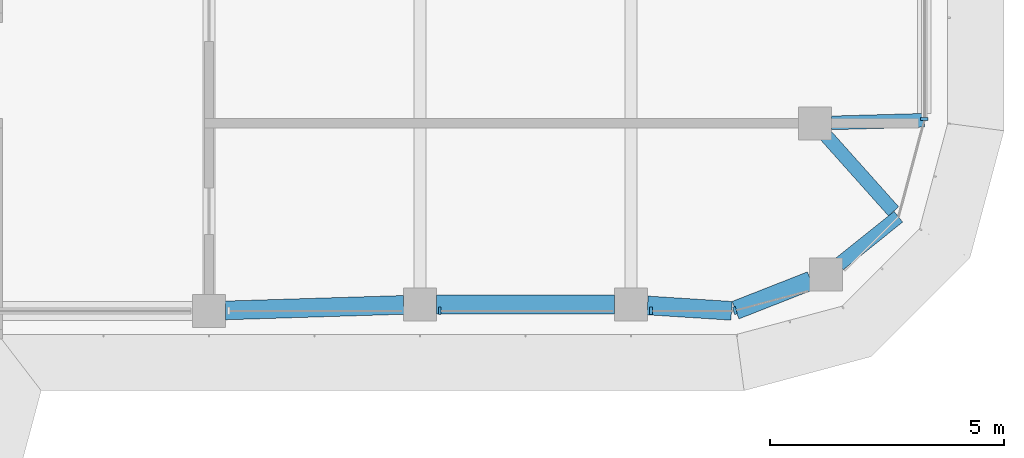
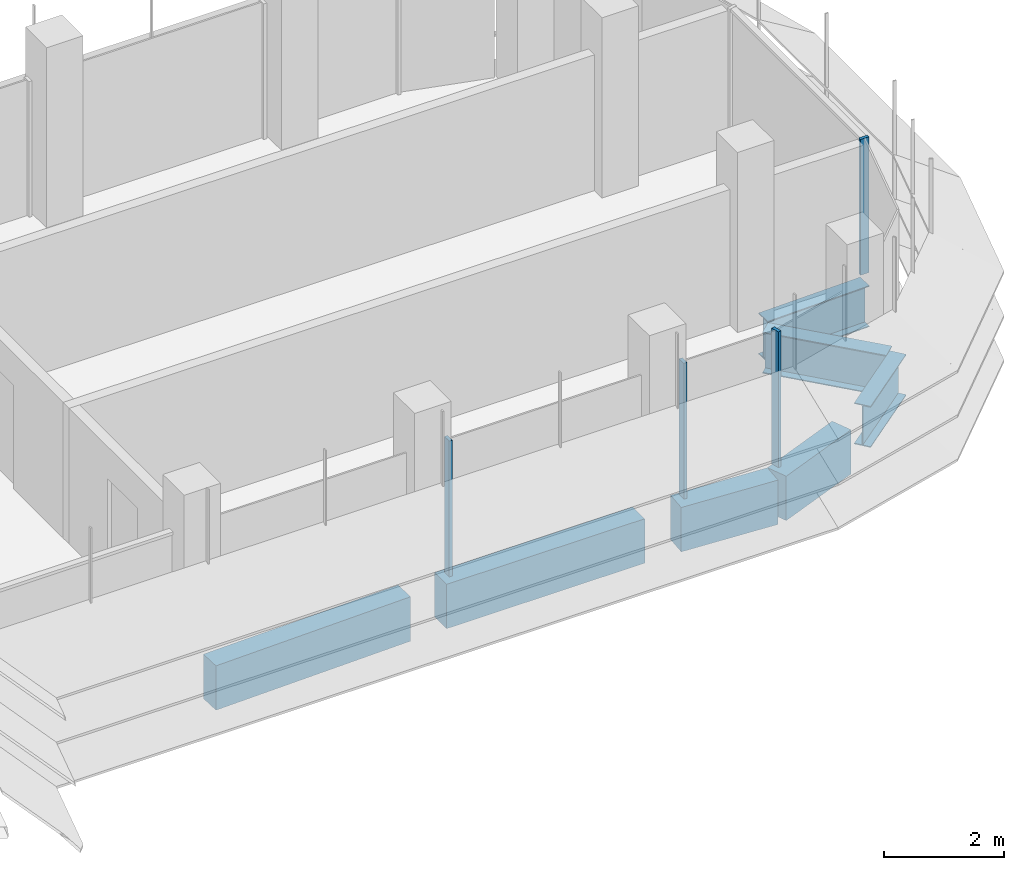
# One storey, part 5 of 19: 7 beams, 4 members, 3 elements without a shape of their own.
"""IFC4 building model written with IfcOpenShell, lengths in metres."""

from ifc_helpers import new_model, si_unit, direction, frame, origin, origin_2d, place, context, subcontext, project, spatial, polyline, rectangle, i_section, outline, extrude, source, transform, mapped, material, material_profile, profile_set, type_object, element, aggregate, save


model = new_model("IFC4")

# Units and contexts
model_context = context("Model", 3, precision=1e-05, world=origin(), true_north=direction((0.0, 1.0)))
body_context = subcontext(model_context, "Body", "Model", "MODEL_VIEW")
ifc_project = project(units=[si_unit("LENGTHUNIT", "METRE"), si_unit("AREAUNIT", "SQUARE_METRE"), si_unit("VOLUMEUNIT", "CUBIC_METRE"), si_unit("PLANEANGLEUNIT", "RADIAN"), si_unit("MASSUNIT", "GRAM", prefix="KILO")], contexts=[model_context])

# Site, building, storey
site_placement = place(None, origin())
site = spatial("IfcSite", under=ifc_project, at=site_placement, CompositionType="ELEMENT")
building_placement = place(site_placement, origin())
building = spatial("IfcBuilding", under=site, at=building_placement, Name="Zarbagh Exchange Tower", CompositionType="ELEMENT")
storey_placement = place(building_placement, frame((0.0, 0.0, 199.199951171875)))
storey = spatial("IfcBuildingStorey", under=building, at=storey_placement, Name="L48", CompositionType="ELEMENT", Elevation=199.199951171875)

# Beams
ifc_material_1 = material(Name="Steel ASTM A992 Gr 50", Category="steel")
ifc_material_profile_1 = material_profile(ifc_material_1, i_section(OverallWidth=0.2919921875, OverallDepth=0.835693359375, WebThickness=0.013916015625, FlangeThickness=0.018798828125, at=origin_2d()), Name="W33X118")
ifc_profile_set_1 = profile_set([ifc_material_profile_1], Name="Steel ASTM A992 Gr 50")
beam_type_1 = type_object("IfcBeamType", Name="Floor girder W33X118", PredefinedType="BEAM", material=ifc_profile_set_1)
beam_1_placement = place(storey_placement, frame((31.0, -2.18408203125, -0.56787109375), z_axis=(-0.999601581355, -0.028225494714, 0.0), x_axis=(0.028225494714, -0.999601581355, 0.0)))
element("IfcBeam", 1, at=beam_1_placement, inside=storey, type_object=beam_type_1, Name="Steel girder", PredefinedType="BEAM", context=body_context, shape_type="SweptSolid", body=[
    extrude(i_section(OverallWidth=0.2919921875, OverallDepth=0.835693359375, WebThickness=0.013916015625, FlangeThickness=0.018798828125, at=origin_2d()), origin(), (0.0, 0.0, 1.0), 1.980712890625),
])
beam_2_placement = place(storey_placement, frame((28.9033203125, -2.510986328125, -0.56787109375), z_axis=(0.666194955403, -0.745777635355, 0.0), x_axis=(0.745777635355, 0.666194955403, 0.0)))
element("IfcBeam", 2, at=beam_2_placement, inside=storey, type_object=beam_type_1, Name="Steel girder", PredefinedType="BEAM", context=body_context, shape_type="SweptSolid", body=[
    extrude(i_section(OverallWidth=0.2919921875, OverallDepth=0.835693359375, WebThickness=0.013916015625, FlangeThickness=0.018798828125, at=origin_2d()), origin(), (0.0, 0.0, 1.0), 2.165771484375),
])
beam_3_placement = place(storey_placement, frame((30.44873046875, -4.2412109375, -0.56787109375), z_axis=(-0.780619385558, -0.625006699877, 0.0), x_axis=(0.625006699877, -0.780619385558, 0.0)))
element("IfcBeam", 3, at=beam_3_placement, inside=storey, type_object=beam_type_1, Name="Steel girder", PredefinedType="BEAM", context=body_context, shape_type="SweptSolid", body=[
    extrude(i_section(OverallWidth=0.2919921875, OverallDepth=0.835693359375, WebThickness=0.013916015625, FlangeThickness=0.018798828125, at=origin_2d()), origin(), (0.0, 0.0, 1.0), 1.623779296875),
])
ifc_material_2 = material(Name="Concrete C50/60", Category="concrete")
ifc_material_profile_2 = material_profile(ifc_material_2, rectangle(XDim=0.39990234375, YDim=0.89990234375, at=origin_2d()), Name="RC spandrel beam 400 x 900 C50/60")
ifc_profile_set_2 = profile_set([ifc_material_profile_2], Name="Concrete C50/60")
beam_type_2 = type_object("IfcBeamType", Name="RC spandrel beam 400 x 900 C50/60", PredefinedType="SPANDREL", material=ifc_profile_set_2)
beam_4_placement = place(storey_placement, frame((28.582275390625, -5.602783203125, -0.599853515625), z_axis=(-0.930818525178, -0.365481700207, 0.0), x_axis=(0.365481700207, -0.930818525178, 0.0)))
element("IfcBeam", 4, at=beam_4_placement, inside=storey, type_object=beam_type_2, Name="RC spandrel beam", PredefinedType="SPANDREL", context=body_context, shape_type="SweptSolid", body=[
    extrude(rectangle(XDim=0.39990234375, YDim=0.89990234375, at=origin_2d()), origin(), (0.0, 0.0, 1.0), 1.72607421875),
])
beam_5_placement = place(storey_placement, frame((26.8896484375, -6.247314453125, -0.599853515625), z_axis=(-0.997943601797, 0.064098109429, 0.0), x_axis=(-0.064098109429, -0.997943601797, 0.0)))
element("IfcBeam", 5, at=beam_5_placement, inside=storey, type_object=beam_type_2, Name="RC spandrel beam", PredefinedType="SPANDREL", context=body_context, shape_type="SweptSolid", body=[
    extrude(rectangle(XDim=0.39990234375, YDim=0.89990234375, at=origin_2d()), origin(), (0.0, 0.0, 1.0), 1.7939453125),
])
beam_6_placement = place(storey_placement, frame((24.39990234375, -6.110107421875, -0.599853515625), z_axis=(-1.0, 0.0, 0.0), x_axis=(0.0, -1.0, 0.0)))
element("IfcBeam", 6, at=beam_6_placement, inside=storey, type_object=beam_type_2, Name="RC spandrel beam", PredefinedType="SPANDREL", context=body_context, shape_type="SweptSolid", body=[
    extrude(rectangle(XDim=0.39990234375, YDim=0.89990234375, at=origin_2d()), origin(), (0.0, 0.0, 1.0), 3.7998046875),
])
beam_7_placement = place(storey_placement, frame((19.900146484375, -6.120849609375, -0.599853515625), z_axis=(-0.999516950199, -0.031078389046, 0.0), x_axis=(0.031078389046, -0.999516950199, 0.0)))
element("IfcBeam", 7, at=beam_7_placement, inside=storey, type_object=beam_type_2, Name="RC spandrel beam", PredefinedType="SPANDREL", context=body_context, shape_type="SweptSolid", body=[
    extrude(rectangle(XDim=0.39990234375, YDim=0.89990234375, at=origin_2d()), origin(), (0.0, 0.0, 1.0), 3.80224609375),
])

# Curtain wall, members
ifc_material_3 = material(Name="Anodised aluminium frame and glazing", Category="aluminium")
curtain_wall_type = type_object("IfcCurtainWallType", Name="CWB Ribbon glazing, upper zones", PredefinedType="NOTDEFINED", material=ifc_material_3)
curtain_wall_1_placement = place(storey_placement, origin())
curtain_wall_1 = element("IfcCurtainWall", 8, at=curtain_wall_1_placement, inside=storey, type_object=curtain_wall_type, Name="CWB08 curtain wall", PredefinedType="NOTDEFINED")
ifc_material_4 = material(Name="Anodised aluminium frame", Category="aluminium")
member_type = type_object("IfcMemberType", Name="MUB Mullion, anodised aluminium frame", PredefinedType="MULLION", material=ifc_material_4)
shared_shape = source(origin(), body_context, "Body", "SweptSolid", [
    extrude(outline(polyline([(0.0, -0.080078125), (0.06005859375, -0.080078125), (0.06005859375, 0.080078125), (0.0, 0.080078125), (0.0, -0.080078125)])), origin(), (0.0, 0.0, 1.0), 2.75),
])
placement = place(storey_placement, origin())
member_1 = element("IfcMember", 9, at=placement, type_object=member_type, Name="CWB08 mullion 3.1", PredefinedType="MULLION", context=body_context, shape_type="MappedRepresentation", body=[
    mapped(shared_shape, transform((20.64013671875, -6.25, 0.0), x_axis=(1.0, 0.0, 0.0), y_axis=(0.0, 1.0, 0.0), z_axis=(0.0, 0.0, 1.0))),
])
member_2 = element("IfcMember", 10, at=placement, type_object=member_type, Name="CWB08 mullion 4.1", PredefinedType="MULLION", context=body_context, shape_type="MappedRepresentation", body=[
    mapped(shared_shape, transform((25.14013671875, -6.25, 0.0), x_axis=(1.0, 0.0, 0.0), y_axis=(0.0, 1.0, 0.0), z_axis=(0.0, 0.0, 1.0))),
])
aggregate(curtain_wall_1, [member_1, member_2])

# Curtain wall, member
curtain_wall_2_placement = place(storey_placement, origin())
curtain_wall_2 = element("IfcCurtainWall", 11, at=curtain_wall_2_placement, inside=storey, type_object=curtain_wall_type, Name="CWB09 curtain wall", PredefinedType="NOTDEFINED")
member_3 = element("IfcMember", 12, at=placement, type_object=member_type, Name="CWB09 mullion 1.1", PredefinedType="MULLION", context=body_context, shape_type="MappedRepresentation", body=[
    mapped(shared_shape, transform((26.93408203125, -6.25, 0.0), x_axis=(0.965924289636, 0.258824779902, 0.0), y_axis=(-0.258824779902, 0.965924289636, 0.0), z_axis=(0.0, 0.0, 1.0))),
])
aggregate(curtain_wall_2, [member_3])

curtain_wall_3_placement = place(storey_placement, origin())
curtain_wall_3 = element("IfcCurtainWall", 13, at=curtain_wall_3_placement, inside=storey, type_object=curtain_wall_type, Name="CWB12 curtain wall", PredefinedType="NOTDEFINED")
member_4 = element("IfcMember", 14, at=placement, type_object=member_type, Name="CWB12 mullion 1.1", PredefinedType="MULLION", context=body_context, shape_type="MappedRepresentation", body=[
    mapped(shared_shape, transform((31.0, -2.18408203125, 0.0), x_axis=(0.0, 1.0, 0.0), y_axis=(-1.0, 0.0, 0.0), z_axis=(0.0, 0.0, 1.0))),
])
aggregate(curtain_wall_3, [member_4])

save(model, "model.ifc")
